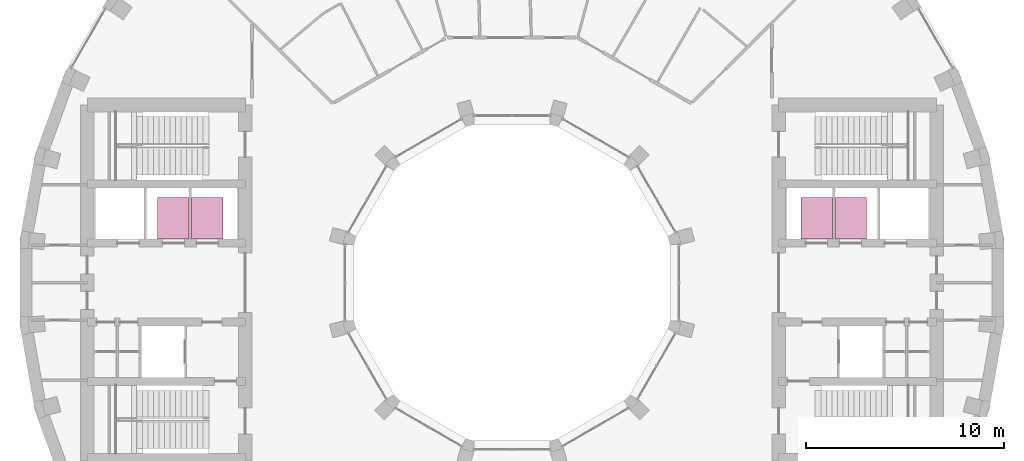
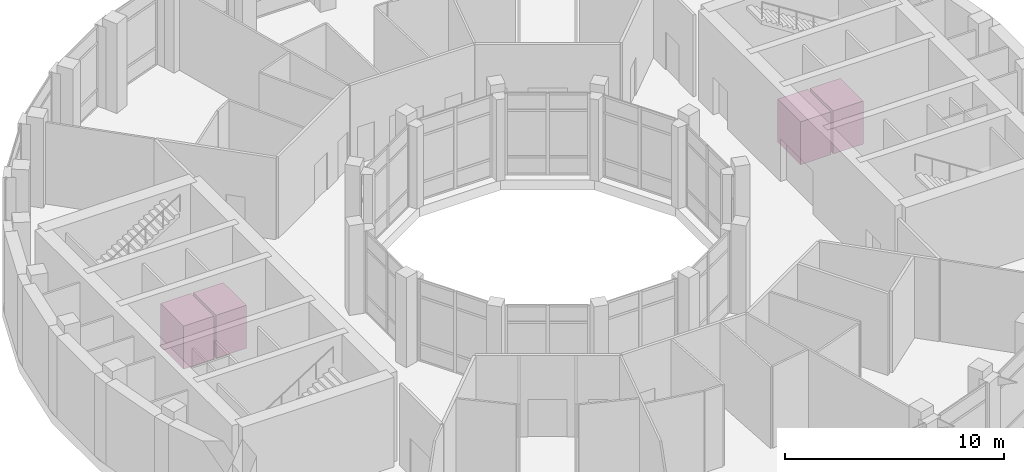
# One storey, part 18 of 18: 4 transport elements.
"""IFC4 building model written with IfcOpenShell, lengths in metres."""

from ifc_helpers import new_model, si_unit, direction, frame, origin, origin_2d, place, context, subcontext, project, spatial, rectangle, extrude, material, type_object, element, save


model = new_model("IFC4")

# Units and contexts
model_context = context("Model", 3, precision=1e-05, world=origin(), true_north=direction((0.0, 1.0)))
body_context = subcontext(model_context, "Body", "Model", "MODEL_VIEW")
ifc_project = project(units=[si_unit("LENGTHUNIT", "METRE"), si_unit("AREAUNIT", "SQUARE_METRE"), si_unit("VOLUMEUNIT", "CUBIC_METRE"), si_unit("PLANEANGLEUNIT", "RADIAN"), si_unit("MASSUNIT", "GRAM", prefix="KILO")], contexts=[model_context])

# Site, building, storey
site_placement = place(None, origin())
site = spatial("IfcSite", under=ifc_project, at=site_placement, CompositionType="ELEMENT")
building_placement = place(site_placement, origin())
building = spatial("IfcBuilding", under=site, at=building_placement, Name="Saqina Gate Tower", CompositionType="ELEMENT")
storey_placement = place(building_placement, frame((0.0, 0.0, 155.800048828125)))
storey = spatial("IfcBuildingStorey", under=building, at=storey_placement, Name="L44", CompositionType="ELEMENT", Elevation=155.800048828125)

# Transport elements
ifc_material = material(Name="Stainless steel", Category="steel")
transport_element_type = type_object("IfcTransportElementType", Name="PASSENGER LIFT", PredefinedType="ELEVATOR", material=ifc_material)
for number, where, z_axis, x_axis, name in (
    (1, (15.419921875, 3.25, 0.0), (0.0, 0.0, 1.0), (1.0, 0.0, 0.0), "PASSENGER LIFT HR1"),
    (2, (17.139892578125, 3.25, 0.0), (0.0, 0.0, 1.0), (1.0, 0.0, 0.0), "PASSENGER LIFT HR2"),
    (3, (-15.419921875, 3.25, 0.0), (0.0, 0.0, 1.0), (1.0, 0.0, 0.0), "PASSENGER LIFT HR3"),
    (4, (-17.139892578125, 3.25, 0.0), (0.0, 0.0, 1.0), (1.0, 0.0, 0.0), "PASSENGER LIFT HR4"),
):
    element("IfcTransportElement", number, at=place(storey_placement, frame(where, z_axis=z_axis, x_axis=x_axis)), inside=storey, type_object=transport_element_type, Name=name, PredefinedType="ELEVATOR", context=body_context, shape_type="SweptSolid", body=[
        extrude(rectangle(XDim=1.60009765625, YDim=2.10009765625, at=origin_2d()), origin(), (0.0, 0.0, 1.0), 2.39990234375),
    ])

save(model, "model.ifc")
